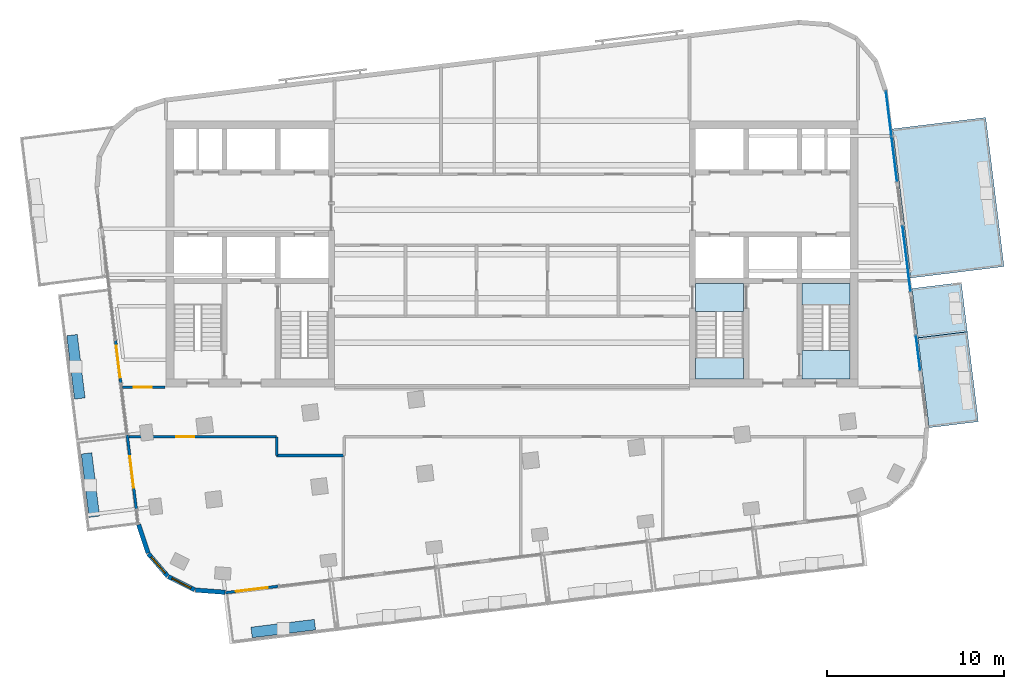
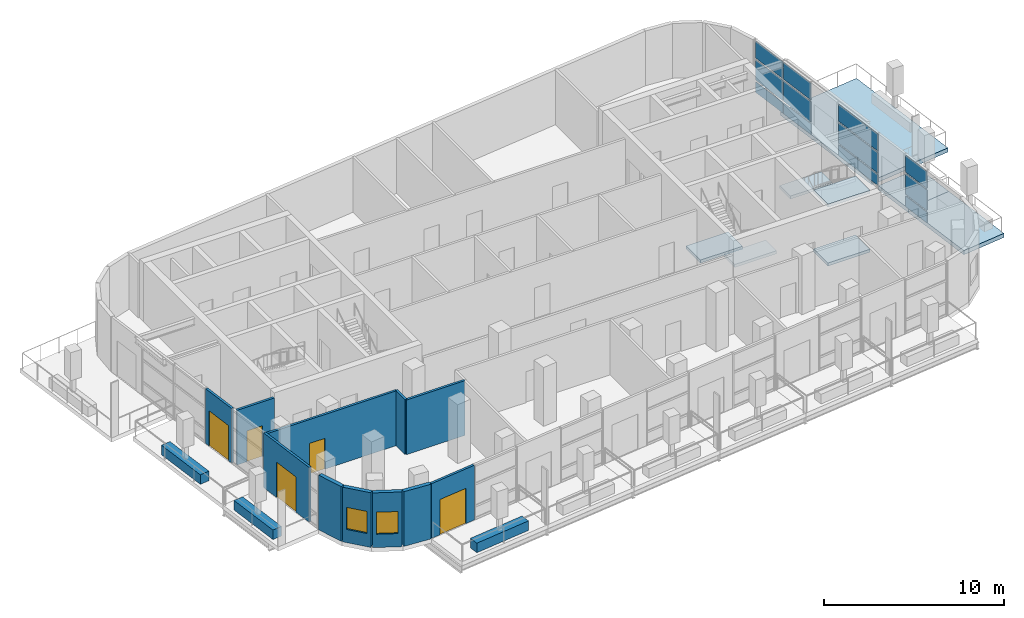
# One storey, part 6 of 14: 14 walls, 12 plates, 8 slabs, 5 doors, 2 windows, 7 openings, 5 elements without a shape of their own.
"""IFC4 building model written with IfcOpenShell, lengths in metres."""

from ifc_helpers import new_model, si_unit, direction, frame, frame_2d, origin, origin_2d, place, context, subcontext, project, spatial, polyline, rectangle, outline, extrude, material, layer, layer_set, type_object, element, fill, aggregate, save


model = new_model("IFC4")

# Units and contexts
model_context = context("Model", 3, precision=1e-05, world=origin(), true_north=direction((0.0, 1.0)))
body_context = subcontext(model_context, "Body", "Model", "MODEL_VIEW")
ifc_project = project(units=[si_unit("LENGTHUNIT", "METRE"), si_unit("AREAUNIT", "SQUARE_METRE"), si_unit("VOLUMEUNIT", "CUBIC_METRE"), si_unit("PLANEANGLEUNIT", "RADIAN"), si_unit("MASSUNIT", "GRAM", prefix="KILO")], contexts=[model_context])

# Site, building, storey
site_placement = place(None, origin())
site = spatial("IfcSite", under=ifc_project, at=site_placement, CompositionType="ELEMENT")
building_placement = place(site_placement, origin())
building = spatial("IfcBuilding", under=site, at=building_placement, Name="Torana Hotel and Residences", CompositionType="ELEMENT")
storey_placement = place(building_placement, frame((0.0, 0.0, 338.60009765625)))
storey = spatial("IfcBuildingStorey", under=building, at=storey_placement, Name="L89", CompositionType="ELEMENT", Elevation=338.60009765625)

# Slabs
ifc_material_1 = material(Name="Concrete C40/50", Category="concrete")
ifc_layer_1 = layer(ifc_material_1, 0.280029296875)
ifc_layer_set_1 = layer_set([ifc_layer_1], Name="BAL1 BALCONY SLAB 280")
slab_type_1 = type_object("IfcSlabType", Name="BAL1 BALCONY SLAB 280", PredefinedType="USERDEFINED", material=ifc_layer_set_1)
slab_1_placement = place(storey_placement, frame((0.0, 0.0, -0.280029296875)))
element("IfcSlab", 1, at=slab_1_placement, inside=storey, type_object=slab_type_1, Name="Balcony 10", ObjectType="BALCONY", PredefinedType="USERDEFINED", context=body_context, shape_type="SweptSolid", body=[
    extrude(outline(polyline([(23.502197265625, -17.286376953125), (26.281494140625, -16.945068359375), (25.659912109375, -11.88330078125), (22.880615234375, -12.224365234375), (23.502197265625, -17.286376953125)])), origin(), (0.0, 0.0, 1.0), 0.280029296875),
])
slab_2_placement = place(storey_placement, frame((0.0, 0.0, -0.280029296875)))
element("IfcSlab", 2, at=slab_2_placement, inside=storey, type_object=slab_type_1, Name="Balcony 11", ObjectType="BALCONY", PredefinedType="USERDEFINED", context=body_context, shape_type="SweptSolid", body=[
    extrude(outline(polyline([(22.880615234375, -12.224365234375), (25.659912109375, -11.88330078125), (25.318603515625, -9.104248046875), (22.53955078125, -9.445556640625), (22.880615234375, -12.224365234375)])), origin(), (0.0, 0.0, 1.0), 0.280029296875),
])
slab_3_placement = place(storey_placement, frame((0.0, 0.0, -0.280029296875)))
element("IfcSlab", 3, at=slab_3_placement, inside=storey, type_object=slab_type_1, Name="Balcony 12", ObjectType="BALCONY", PredefinedType="USERDEFINED", context=body_context, shape_type="SweptSolid", body=[
    extrude(outline(polyline([(22.46630859375, -8.85009765625), (27.726806640625, -8.2041015625), (26.695556640625, 0.19580078125), (21.43505859375, -0.449951171875), (22.46630859375, -8.85009765625)])), origin(), (0.0, 0.0, 1.0), 0.280029296875),
])

# Curtain wall, plates
ifc_material_2 = material(Name="Dark anodised aluminium", Category="aluminium")
ifc_layer_2 = layer(ifc_material_2, 0.199951171875)
ifc_layer_set_2 = layer_set([ifc_layer_2], Name="CW3 SKY CLUB UNITISED CURTAIN WALL")
curtain_wall_type = type_object("IfcCurtainWallType", Name="CW3 SKY CLUB UNITISED CURTAIN WALL", PredefinedType="NOTDEFINED", material=ifc_layer_set_2)
curtain_wall_1_placement = place(storey_placement, origin())
curtain_wall_1 = element("IfcCurtainWall", 4, at=curtain_wall_1_placement, inside=storey, type_object=curtain_wall_type, Name="Curtain wall CW3 L89 e0.19-2", PredefinedType="NOTDEFINED")
ifc_material_3 = material(Name="Glass dark tinted double glazed unit", Category="glass")
ifc_layer_3 = layer(ifc_material_3, 0.031982421875)
ifc_layer_set_3 = layer_set([ifc_layer_3], Name="CW3 DARK GLASS PANEL 32")
plate_type = type_object("IfcPlateType", Name="CW3 DARK GLASS PANEL 32", PredefinedType="CURTAIN_PANEL", material=ifc_layer_set_3)
plate_1_placement = place(storey_placement, frame((22.885009765625, -13.080322265625, 0.1201171875), z_axis=(0.0, 0.0, 1.0), x_axis=(-0.121912701141, 0.992540827019, 0.0)))
plate_1 = element("IfcPlate", 5, at=plate_1_placement, type_object=plate_type, Name="CW3 panel 1.1", PredefinedType="CURTAIN_PANEL", context=body_context, shape_type="SweptSolid", body=[
    extrude(rectangle(XDim=1.9599609375, YDim=0.031982421875, at=origin_2d()), origin(), (0.0, 0.0, 1.0), 0.719970703125),
])
plate_2_placement = place(storey_placement, frame((22.885009765625, -13.080322265625, 0.9599609375), z_axis=(0.0, 0.0, 1.0), x_axis=(-0.121912701141, 0.992540827019, 0.0)))
plate_2 = element("IfcPlate", 6, at=plate_2_placement, type_object=plate_type, Name="CW3 panel 1.2", PredefinedType="CURTAIN_PANEL", context=body_context, shape_type="SweptSolid", body=[
    extrude(rectangle(XDim=1.9599609375, YDim=0.031982421875, at=origin_2d()), origin(), (0.0, 0.0, 1.0), 1.3798828125),
])
plate_3_placement = place(storey_placement, frame((22.885009765625, -13.080322265625, 2.4599609375), z_axis=(0.0, 0.0, 1.0), x_axis=(-0.121912701141, 0.992540827019, 0.0)))
plate_3 = element("IfcPlate", 7, at=plate_3_placement, type_object=plate_type, Name="CW3 panel 1.3", PredefinedType="CURTAIN_PANEL", context=body_context, shape_type="SweptSolid", body=[
    extrude(rectangle(XDim=1.9599609375, YDim=0.031982421875, at=origin_2d()), origin(), (0.0, 0.0, 1.0), 1.139892578125),
])
aggregate(curtain_wall_1, [plate_1, plate_2, plate_3])

curtain_wall_2_placement = place(storey_placement, origin())
curtain_wall_2 = element("IfcCurtainWall", 8, at=curtain_wall_2_placement, inside=storey, type_object=curtain_wall_type, Name="Curtain wall CW3 L89 e0.19-4", PredefinedType="NOTDEFINED")
plate_4_placement = place(storey_placement, frame((22.231201171875, -7.754638671875, 0.1201171875), z_axis=(0.0, 0.0, 1.0), x_axis=(-0.121885437403, 0.992544175414, 0.0)))
plate_4 = element("IfcPlate", 9, at=plate_4_placement, type_object=plate_type, Name="CW3 panel 1.1", PredefinedType="CURTAIN_PANEL", context=body_context, shape_type="SweptSolid", body=[
    extrude(rectangle(XDim=3.69140625, YDim=0.031982421875, at=origin_2d()), origin(), (0.0, 0.0, 1.0), 0.719970703125),
])
plate_5_placement = place(storey_placement, frame((22.231201171875, -7.754638671875, 0.9599609375), z_axis=(0.0, 0.0, 1.0), x_axis=(-0.121885437403, 0.992544175414, 0.0)))
plate_5 = element("IfcPlate", 10, at=plate_5_placement, type_object=plate_type, Name="CW3 panel 1.2", PredefinedType="CURTAIN_PANEL", context=body_context, shape_type="SweptSolid", body=[
    extrude(rectangle(XDim=3.69140625, YDim=0.031982421875, at=origin_2d()), origin(), (0.0, 0.0, 1.0), 1.3798828125),
])
plate_6_placement = place(storey_placement, frame((22.231201171875, -7.754638671875, 2.4599609375), z_axis=(0.0, 0.0, 1.0), x_axis=(-0.121885437403, 0.992544175414, 0.0)))
plate_6 = element("IfcPlate", 11, at=plate_6_placement, type_object=plate_type, Name="CW3 panel 1.3", PredefinedType="CURTAIN_PANEL", context=body_context, shape_type="SweptSolid", body=[
    extrude(rectangle(XDim=3.69140625, YDim=0.031982421875, at=origin_2d()), origin(), (0.0, 0.0, 1.0), 1.139892578125),
])
aggregate(curtain_wall_2, [plate_4, plate_5, plate_6])

curtain_wall_3_placement = place(storey_placement, origin())
curtain_wall_3 = element("IfcCurtainWall", 12, at=curtain_wall_3_placement, inside=storey, type_object=curtain_wall_type, Name="Curtain wall CW3 L89 e0.19-6", PredefinedType="NOTDEFINED")
plate_7_placement = place(storey_placement, frame((21.543212890625, -2.152587890625, 0.1201171875), z_axis=(0.0, 0.0, 1.0), x_axis=(-0.121870538273, 0.992546004929, 0.0)))
plate_7 = element("IfcPlate", 13, at=plate_7_placement, type_object=plate_type, Name="CW3 panel 1.1", PredefinedType="CURTAIN_PANEL", context=body_context, shape_type="SweptSolid", body=[
    extrude(rectangle(XDim=2.51708984375, YDim=0.031982421875, at=origin_2d()), origin(), (0.0, 0.0, 1.0), 0.719970703125),
])
plate_8_placement = place(storey_placement, frame((21.543212890625, -2.152587890625, 0.9599609375), z_axis=(0.0, 0.0, 1.0), x_axis=(-0.121870538273, 0.992546004929, 0.0)))
plate_8 = element("IfcPlate", 14, at=plate_8_placement, type_object=plate_type, Name="CW3 panel 1.2", PredefinedType="CURTAIN_PANEL", context=body_context, shape_type="SweptSolid", body=[
    extrude(rectangle(XDim=2.51708984375, YDim=0.031982421875, at=origin_2d()), origin(), (0.0, 0.0, 1.0), 1.3798828125),
])
plate_9_placement = place(storey_placement, frame((21.543212890625, -2.152587890625, 2.4599609375), z_axis=(0.0, 0.0, 1.0), x_axis=(-0.121870538273, 0.992546004929, 0.0)))
plate_9 = element("IfcPlate", 15, at=plate_9_placement, type_object=plate_type, Name="CW3 panel 1.3", PredefinedType="CURTAIN_PANEL", context=body_context, shape_type="SweptSolid", body=[
    extrude(rectangle(XDim=2.51708984375, YDim=0.031982421875, at=origin_2d()), origin(), (0.0, 0.0, 1.0), 1.139892578125),
])
plate_10_placement = place(storey_placement, frame((21.22802734375, 0.415283203125, 0.1201171875), z_axis=(0.0, 0.0, 1.0), x_axis=(-0.121870538273, 0.992546004929, 0.0)))
plate_10 = element("IfcPlate", 16, at=plate_10_placement, type_object=plate_type, Name="CW3 panel 2.1", PredefinedType="CURTAIN_PANEL", context=body_context, shape_type="SweptSolid", body=[
    extrude(rectangle(XDim=2.51708984375, YDim=0.031982421875, at=origin_2d()), origin(), (0.0, 0.0, 1.0), 0.719970703125),
])
plate_11_placement = place(storey_placement, frame((21.22802734375, 0.415283203125, 0.9599609375), z_axis=(0.0, 0.0, 1.0), x_axis=(-0.121870538273, 0.992546004929, 0.0)))
plate_11 = element("IfcPlate", 17, at=plate_11_placement, type_object=plate_type, Name="CW3 panel 2.2", PredefinedType="CURTAIN_PANEL", context=body_context, shape_type="SweptSolid", body=[
    extrude(rectangle(XDim=2.51708984375, YDim=0.031982421875, at=origin_2d()), origin(), (0.0, 0.0, 1.0), 1.3798828125),
])
plate_12_placement = place(storey_placement, frame((21.22802734375, 0.415283203125, 2.4599609375), z_axis=(0.0, 0.0, 1.0), x_axis=(-0.121870538273, 0.992546004929, 0.0)))
plate_12 = element("IfcPlate", 18, at=plate_12_placement, type_object=plate_type, Name="CW3 panel 2.3", PredefinedType="CURTAIN_PANEL", context=body_context, shape_type="SweptSolid", body=[
    extrude(rectangle(XDim=2.51708984375, YDim=0.031982421875, at=origin_2d()), origin(), (0.0, 0.0, 1.0), 1.139892578125),
])
aggregate(curtain_wall_3, [plate_7, plate_8, plate_9, plate_10, plate_11, plate_12])

# Stair, slabs
ifc_material_4 = material(Name="Concrete C40/50 precast", Category="concrete")
stair_type_1 = type_object("IfcStairType", Name="STAIR ST3 HALF TURN 1200", PredefinedType="HALF_TURN_STAIR", material=ifc_material_4)
stair_1_placement = place(storey_placement, origin())
stair_1 = element("IfcStair", 19, at=stair_1_placement, inside=storey, type_object=stair_type_1, Name="Stair ST3 L89", PredefinedType="HALF_TURN_STAIR")
ifc_material_5 = material(Name="Concrete C40/50 precast", Category="concrete")
ifc_layer_4 = layer(ifc_material_5, 0.199951171875)
ifc_layer_set_4 = layer_set([ifc_layer_4], Name="STAIR LANDING 200")
slab_type_2 = type_object("IfcSlabType", Name="STAIR LANDING 200", PredefinedType="LANDING", material=ifc_layer_set_4)
slab_4_placement = place(storey_placement, frame((0.0, 0.0, 1.7998046875)))
slab_4 = element("IfcSlab", 20, at=slab_4_placement, type_object=slab_type_2, Name="ST3 landing 1", PredefinedType="LANDING", context=body_context, shape_type="SweptSolid", body=[
    extrude(outline(polyline([(10.35009765625, -14.550048828125), (13.050048828125, -14.550048828125), (13.050048828125, -13.35009765625), (10.35009765625, -13.35009765625), (10.35009765625, -14.550048828125)])), origin(), (0.0, 0.0, 1.0), 0.2001953125),
])
slab_5_placement = place(storey_placement, frame((0.0, 0.0, -0.2001953125)))
slab_5 = element("IfcSlab", 21, at=slab_5_placement, type_object=slab_type_2, Name="ST3 landing 2", PredefinedType="LANDING", context=body_context, shape_type="SweptSolid", body=[
    extrude(outline(polyline([(10.35009765625, -10.75), (13.050048828125, -10.75), (13.050048828125, -9.14990234375), (10.35009765625, -9.14990234375), (10.35009765625, -10.75)])), origin(), (0.0, 0.0, 1.0), 0.2001953125),
])
aggregate(stair_1, [slab_4, slab_5])

ifc_material_6 = material(Name="Concrete C40/50 precast", Category="concrete")
stair_type_2 = type_object("IfcStairType", Name="STAIR ST4 HALF TURN 1200", PredefinedType="HALF_TURN_STAIR", material=ifc_material_6)
stair_2_placement = place(storey_placement, origin())
stair_2 = element("IfcStair", 22, at=stair_2_placement, inside=storey, type_object=stair_type_2, Name="Stair ST4 L89", PredefinedType="HALF_TURN_STAIR")
slab_6_placement = place(storey_placement, frame((0.0, 0.0, 1.7998046875)))
slab_6 = element("IfcSlab", 23, at=slab_6_placement, type_object=slab_type_2, Name="ST4 landing 1", PredefinedType="LANDING", context=body_context, shape_type="SweptSolid", body=[
    extrude(outline(polyline([(16.35009765625, -10.35009765625), (19.050048828125, -10.35009765625), (19.050048828125, -9.14990234375), (16.35009765625, -9.14990234375), (16.35009765625, -10.35009765625)])), origin(), (0.0, 0.0, 1.0), 0.2001953125),
])
slab_7_placement = place(storey_placement, frame((0.0, 0.0, -0.2001953125)))
slab_7 = element("IfcSlab", 24, at=slab_7_placement, type_object=slab_type_2, Name="ST4 landing 2", PredefinedType="LANDING", context=body_context, shape_type="SweptSolid", body=[
    extrude(outline(polyline([(16.35009765625, -14.550048828125), (19.050048828125, -14.550048828125), (19.050048828125, -12.949951171875), (16.35009765625, -12.949951171875), (16.35009765625, -14.550048828125)])), origin(), (0.0, 0.0, 1.0), 0.2001953125),
])
slab_8_placement = place(storey_placement, frame((0.0, 0.0, 3.7998046875)))
slab_8 = element("IfcSlab", 25, at=slab_8_placement, type_object=slab_type_2, Name="ST4 landing 3", PredefinedType="LANDING", context=body_context, shape_type="SweptSolid", body=[
    extrude(outline(polyline([(16.35009765625, -14.550048828125), (19.050048828125, -14.550048828125), (19.050048828125, -12.949951171875), (16.35009765625, -12.949951171875), (16.35009765625, -14.550048828125)])), origin(), (0.0, 0.0, 1.0), 0.2001953125),
])
aggregate(stair_2, [slab_6, slab_7, slab_8])

# Wall
ifc_material_7 = material(Name="Black aluminium composite panel", Category="aluminium")
ifc_layer_5 = layer(ifc_material_7, 0.00390625, Name="Cladding", Category="cladding")
ifc_material_8 = material(Name="Ventilated air cavity")
ifc_layer_6 = layer(ifc_material_8, 0.0400390625, Name="Ventilated cavity", Category="cavity")
ifc_material_9 = material(Name="Mineral wool insulation")
ifc_layer_7 = layer(ifc_material_9, 0.090087890625, Name="Insulation", Category="insulation")
ifc_material_10 = material(Name="Steel S280GD", Category="steel")
ifc_layer_8 = layer(ifc_material_10, 0.092041015625, Name="Steel stud frame", Category="structure")
ifc_material_11 = material(Name="Fire rated plasterboard")
ifc_layer_9 = layer(ifc_material_11, 0.011962890625, Name="Inner board", Category="finish")
ifc_layer_10 = layer(ifc_material_11, 0.011962890625, Name="Second board", Category="finish")
ifc_layer_set_5 = layer_set([ifc_layer_5, ifc_layer_6, ifc_layer_7, ifc_layer_8, ifc_layer_9, ifc_layer_10], Name="EW1 EXTERNAL WALL BLACK METAL CLAD 250")
wall_type_1 = type_object("IfcWallType", Name="EW1 EXTERNAL WALL BLACK METAL CLAD 250", PredefinedType="SOLIDWALL", material=ifc_layer_set_5)
wall_1_placement = place(storey_placement, frame((-21.035888671875, -22.754638671875, 0.0), z_axis=(0.0, 0.0, 1.0), x_axis=(0.313046160822, -0.949737911844, 0.0)))
element("IfcWall", 26, at=wall_1_placement, inside=storey, type_object=wall_type_1, Name="External wall L89 e0.10", PredefinedType="SOLIDWALL", context=body_context, shape_type="SweptSolid", body=[
    extrude(rectangle(XDim=1.681396484375, YDim=0.25, at=frame_2d((0.8408203125, 0.0))), origin(), (0.0, 0.0, 1.0), 3.719970703125),
])

# Wall, opening, window
wall_2_placement = place(storey_placement, frame((-20.4853515625, -24.39404296875, 0.0), z_axis=(0.0, 0.0, 1.0), x_axis=(0.652755886531, -0.757568315466, 0.0)))
wall_2 = element("IfcWall", 27, at=wall_2_placement, inside=storey, type_object=wall_type_1, Name="External wall L89 e0.11", PredefinedType="SOLIDWALL", context=body_context, shape_type="SweptSolid", body=[
    extrude(rectangle(XDim=1.65625, YDim=0.25, at=frame_2d((0.828125, 0.0))), origin(), (0.0, 0.0, 1.0), 3.719970703125),
])
opening_1_placement = place(wall_2_placement, frame((0.228271484375, 0.0, 0.89990234375)))
opening_1 = element("IfcOpeningElement", 28, at=opening_1_placement, cuts=wall_2, Name="Opening W5", PredefinedType="OPENING", context=body_context, shape_type="SweptSolid", body=[
    extrude(rectangle(XDim=1.199951171875, YDim=1.5, at=frame_2d((0.60009765625, 0.75))), frame((0.0, 0.135009765625, 0.0), z_axis=(0.0, -1.0, 0.0), x_axis=(1.0, 0.0, 0.0)), (0.0, 0.0, 1.0), 0.27001953125),
])
ifc_material_12 = material(Name="Dark glass in black aluminium frame", Category="aluminium")
window_type = type_object("IfcWindowType", Name="W5 CORNER FACET WINDOW 1200x1500", PartitioningType="SINGLE_PANEL", PredefinedType="WINDOW", material=ifc_material_12)
window_1_placement = place(opening_1_placement, origin())
window_1 = element("IfcWindow", 29, at=window_1_placement, inside=storey, type_object=window_type, Name="Window L89 e0.11", OverallHeight=1.5, OverallWidth=1.199951171875, PartitioningType="SINGLE_PANEL", PredefinedType="WINDOW", context=body_context, shape_type="SweptSolid", body=[
    extrude(rectangle(XDim=1.199951171875, YDim=1.5, at=frame_2d((0.60009765625, 0.75))), frame((0.0, 0.030029296875, 0.0), z_axis=(0.0, -1.0, 0.0), x_axis=(1.0, 0.0, 0.0)), (0.0, 0.0, 1.0), 0.06005859375),
])
fill(opening_1, window_1)

wall_3_placement = place(storey_placement, frame((-19.36572265625, -25.678955078125, 0.0), z_axis=(0.0, 0.0, 1.0), x_axis=(0.893007580524, -0.450041621549, 0.0)))
wall_3 = element("IfcWall", 30, at=wall_3_placement, inside=storey, type_object=wall_type_1, Name="External wall L89 e0.12", PredefinedType="SOLIDWALL", context=body_context, shape_type="SweptSolid", body=[
    extrude(rectangle(XDim=1.65625, YDim=0.25, at=frame_2d((0.828125, 0.0))), origin(), (0.0, 0.0, 1.0), 3.719970703125),
])
opening_2_placement = place(wall_3_placement, frame((0.228271484375, 0.0, 0.89990234375)))
opening_2 = element("IfcOpeningElement", 31, at=opening_2_placement, cuts=wall_3, Name="Opening W5", PredefinedType="OPENING", context=body_context, shape_type="SweptSolid", body=[
    extrude(rectangle(XDim=1.199951171875, YDim=1.5, at=frame_2d((0.60009765625, 0.75))), frame((0.0, 0.135009765625, 0.0), z_axis=(0.0, -1.0, 0.0), x_axis=(1.0, 0.0, 0.0)), (0.0, 0.0, 1.0), 0.27001953125),
])
window_2_placement = place(opening_2_placement, origin())
window_2 = element("IfcWindow", 32, at=window_2_placement, inside=storey, type_object=window_type, Name="Window L89 e0.12", OverallHeight=1.5, OverallWidth=1.199951171875, PartitioningType="SINGLE_PANEL", PredefinedType="WINDOW", context=body_context, shape_type="SweptSolid", body=[
    extrude(rectangle(XDim=1.199951171875, YDim=1.5, at=frame_2d((0.60009765625, 0.75))), frame((0.0, 0.030029296875, 0.0), z_axis=(0.0, -1.0, 0.0), x_axis=(1.0, 0.0, 0.0)), (0.0, 0.0, 1.0), 0.06005859375),
])
fill(opening_2, window_2)

# Walls
wall_4_placement = place(storey_placement, frame((-17.839599609375, -26.4375, 0.0), z_axis=(0.0, 0.0, 1.0), x_axis=(0.997254267475, -0.074053534713, 0.0)))
element("IfcWall", 33, at=wall_4_placement, inside=storey, type_object=wall_type_1, Name="External wall L89 e0.13", PredefinedType="SOLIDWALL", context=body_context, shape_type="SweptSolid", body=[
    extrude(rectangle(XDim=1.681396484375, YDim=0.25, at=frame_2d((0.8408203125, 0.0))), origin(), (0.0, 0.0, 1.0), 3.719970703125),
])
ifc_material_13 = material(Name="Gypsum plaster")
ifc_layer_11 = layer(ifc_material_13, 0.014892578125, Name="Plaster", Category="finish")
ifc_material_14 = material(Name="Concrete blockwork", Category="masonry")
ifc_layer_12 = layer(ifc_material_14, 0.1201171875, Name="Blockwork", Category="structure")
ifc_layer_13 = layer(ifc_material_13, 0.014892578125, Name="Plaster", Category="finish")
ifc_layer_set_6 = layer_set([ifc_layer_11, ifc_layer_12, ifc_layer_13], Name="FIRE PARTITION 150 BLOCKWORK")
wall_type_2 = type_object("IfcWallType", Name="FIRE PARTITION 150 BLOCKWORK", PredefinedType="PARTITIONING", material=ifc_layer_set_6)
wall_5_placement = place(storey_placement, frame((-13.262939453125, -18.85009765625, 0.0), z_axis=(0.0, 0.0, 1.0), x_axis=(0.0, 1.0, 0.0)))
element("IfcWall", 34, at=wall_5_placement, inside=storey, type_object=wall_type_2, Name="Partition L89", PredefinedType="PARTITIONING", context=body_context, shape_type="SweptSolid", body=[
    extrude(rectangle(XDim=1.050048828125, YDim=0.14990234375, at=frame_2d((0.52490234375, 0.0))), origin(), (0.0, 0.0, 1.0), 3.719970703125),
])
wall_6_placement = place(storey_placement, frame((-13.262939453125, -18.85009765625, 0.0), z_axis=(0.0, 0.0, 1.0), x_axis=(1.0, 0.0, 0.0)))
element("IfcWall", 35, at=wall_6_placement, inside=storey, type_object=wall_type_2, Name="Partition L89", PredefinedType="PARTITIONING", context=body_context, shape_type="SweptSolid", body=[
    extrude(rectangle(XDim=3.760986328125, YDim=0.14990234375, at=frame_2d((1.88037109375, 0.0))), origin(), (0.0, 0.0, 1.0), 3.719970703125),
])

# Wall, opening, door
wall_7_placement = place(storey_placement, frame((-21.59130859375, -17.800048828125, 0.0), z_axis=(0.0, 0.0, 1.0), x_axis=(1.0, 0.0, 0.0)))
wall_7 = element("IfcWall", 36, at=wall_7_placement, inside=storey, type_object=wall_type_2, Name="Partition L89", PredefinedType="PARTITIONING", context=body_context, shape_type="SweptSolid", body=[
    extrude(rectangle(XDim=8.328369140625, YDim=0.14990234375, at=frame_2d((4.1640625, 0.0))), origin(), (0.0, 0.0, 1.0), 3.719970703125),
])
opening_3_placement = place(wall_7_placement, frame((2.6728515625, 0.0, 0.0)))
opening_3 = element("IfcOpeningElement", 37, at=opening_3_placement, cuts=wall_7, Name="Opening L89-20", PredefinedType="OPENING", context=body_context, shape_type="SweptSolid", body=[
    extrude(rectangle(XDim=1.0, YDim=2.10009765625, at=frame_2d((0.5, 1.050048828125))), frame((0.0, 0.0849609375, 0.0), z_axis=(0.0, -1.0, 0.0), x_axis=(1.0, 0.0, 0.0)), (0.0, 0.0, 1.0), 0.169921875),
])
ifc_material_15 = material(Name="Steel S235", Category="steel")
door_type_1 = type_object("IfcDoorType", Name="ENTRY FIRE DOOR D6 1000x2100", OperationType="SINGLE_SWING_LEFT", PredefinedType="DOOR", material=ifc_material_15)
door_1_placement = place(opening_3_placement, frame((0.5, 0.0, 0.0), z_axis=(0.0, 0.0, 1.0), x_axis=(-1.0, 0.0, 0.0)))
door_1 = element("IfcDoor", 38, at=door_1_placement, inside=storey, type_object=door_type_1, Name="Door L89", OperationType="SINGLE_SWING_LEFT", OverallHeight=2.10009765625, OverallWidth=1.0, PredefinedType="DOOR", context=body_context, shape_type="SweptSolid", body=[
    extrude(rectangle(XDim=1.0, YDim=2.10009765625, at=frame_2d((0.0, 1.050048828125))), frame((0.0, -0.02490234375, 0.0), z_axis=(0.0, 1.0, 0.0), x_axis=(-1.0, 0.0, 0.0)), (0.0, 0.0, 1.0), 0.050048828125),
])
fill(opening_3, door_1)

wall_8_placement = place(storey_placement, frame((-21.93505859375, -15.0, 0.0), z_axis=(0.0, 0.0, 1.0), x_axis=(1.0, 0.0, 0.0)))
wall_8 = element("IfcWall", 39, at=wall_8_placement, inside=storey, type_object=wall_type_2, Name="Partition L89", PredefinedType="PARTITIONING", context=body_context, shape_type="SweptSolid", body=[
    extrude(rectangle(XDim=2.385009765625, YDim=0.14990234375, at=frame_2d((1.1923828125, 0.0))), origin(), (0.0, 0.0, 1.0), 3.719970703125),
])
opening_4_placement = place(wall_8_placement, frame((0.626953125, 0.0, 0.0)))
opening_4 = element("IfcOpeningElement", 40, at=opening_4_placement, cuts=wall_8, Name="Opening L89-25", PredefinedType="OPENING", context=body_context, shape_type="SweptSolid", body=[
    extrude(rectangle(XDim=1.0, YDim=2.10009765625, at=frame_2d((0.5, 1.050048828125))), frame((0.0, 0.0849609375, 0.0), z_axis=(0.0, -1.0, 0.0), x_axis=(1.0, 0.0, 0.0)), (0.0, 0.0, 1.0), 0.169921875),
])
ifc_material_16 = material(Name="Steel S235", Category="steel")
door_type_2 = type_object("IfcDoorType", Name="CORE ROOM FIRE DOOR D14 1000x2100", OperationType="SINGLE_SWING_LEFT", PredefinedType="DOOR", material=ifc_material_16)
door_2_placement = place(opening_4_placement, origin())
door_2 = element("IfcDoor", 41, at=door_2_placement, inside=storey, type_object=door_type_2, Name="Door L89", OperationType="SINGLE_SWING_RIGHT", OverallHeight=2.10009765625, OverallWidth=1.0, PredefinedType="DOOR", context=body_context, shape_type="SweptSolid", body=[
    extrude(rectangle(XDim=1.0, YDim=2.10009765625, at=frame_2d((0.5, 1.050048828125))), frame((0.0, 0.02490234375, 0.0), z_axis=(0.0, -1.0, 0.0), x_axis=(1.0, 0.0, 0.0)), (0.0, 0.0, 1.0), 0.050048828125),
])
fill(opening_4, door_2)

ifc_material_17 = material(Name="Dark glass screen in aluminium frame", Category="aluminium")
ifc_layer_14 = layer(ifc_material_17, 0.14990234375)
ifc_layer_set_7 = layer_set([ifc_layer_14], Name="GS1 GLAZED DOOR SCREEN 150")
wall_type_3 = type_object("IfcWallType", Name="GS1 GLAZED DOOR SCREEN 150", PredefinedType="USERDEFINED", material=ifc_layer_set_7)
wall_9_placement = place(storey_placement, frame((-22.338134765625, -12.373779296875, 0.0), z_axis=(0.0, 0.0, 1.0), x_axis=(0.121868445399, -0.992546261902, 0.0)))
wall_9 = element("IfcWall", 42, at=wall_9_placement, inside=storey, type_object=wall_type_3, Name="Glazed door screen L89", ObjectType="GLAZED SCREEN", PredefinedType="USERDEFINED", context=body_context, shape_type="SweptSolid", body=[
    extrude(rectangle(XDim=2.39990234375, YDim=0.14990234375, at=frame_2d((1.199951171875, 0.0))), origin(), (0.0, 0.0, 1.0), 3.719970703125),
])
opening_5_placement = place(wall_9_placement, frame((0.300048828125, 0.0, 0.0)))
opening_5 = element("IfcOpeningElement", 43, at=opening_5_placement, cuts=wall_9, Name="Opening L89-E02", PredefinedType="OPENING", context=body_context, shape_type="SweptSolid", body=[
    extrude(rectangle(XDim=1.800048828125, YDim=2.39990234375, at=frame_2d((0.89990234375, 1.199951171875))), frame((0.0, 0.0849609375, 0.0), z_axis=(0.0, -1.0, 0.0), x_axis=(1.0, 0.0, 0.0)), (0.0, 0.0, 1.0), 0.169921875),
])
ifc_material_18 = material(Name="Dark glass in black aluminium frame", Category="aluminium")
door_type_3 = type_object("IfcDoorType", Name="DB1 BALCONY DOOR 1800x2400", OperationType="DOUBLE_DOOR_SINGLE_SWING", PredefinedType="DOOR", material=ifc_material_18)
door_3_placement = place(opening_5_placement, origin())
door_3 = element("IfcDoor", 44, at=door_3_placement, inside=storey, type_object=door_type_3, Name="Balcony door L89", OperationType="DOUBLE_DOOR_SINGLE_SWING", OverallHeight=2.39990234375, OverallWidth=1.800048828125, PredefinedType="DOOR", context=body_context, shape_type="SweptSolid", body=[
    extrude(rectangle(XDim=1.800048828125, YDim=2.39990234375, at=frame_2d((0.89990234375, 1.199951171875))), frame((0.0, 0.02490234375, 0.0), z_axis=(0.0, -1.0, 0.0), x_axis=(1.0, 0.0, 0.0)), (0.0, 0.0, 1.0), 0.050048828125),
])
fill(opening_5, door_3)

wall_10_placement = place(storey_placement, frame((-21.6845703125, -17.6962890625, 0.0), z_axis=(0.0, 0.0, 1.0), x_axis=(0.121895320106, -0.992542961758, 0.0)))
wall_10 = element("IfcWall", 45, at=wall_10_placement, inside=storey, type_object=wall_type_3, Name="Glazed door screen L89", ObjectType="GLAZED SCREEN", PredefinedType="USERDEFINED", context=body_context, shape_type="SweptSolid", body=[
    extrude(rectangle(XDim=4.199951171875, YDim=0.14990234375, at=frame_2d((2.10009765625, 0.0))), origin(), (0.0, 0.0, 1.0), 3.719970703125),
])
opening_6_placement = place(wall_10_placement, frame((1.199951171875, 0.0, 0.0)))
opening_6 = element("IfcOpeningElement", 46, at=opening_6_placement, cuts=wall_10, Name="Opening L89-E03", PredefinedType="OPENING", context=body_context, shape_type="SweptSolid", body=[
    extrude(rectangle(XDim=1.800048828125, YDim=2.39990234375, at=frame_2d((0.89990234375, 1.199951171875))), frame((0.0, 0.0849609375, 0.0), z_axis=(0.0, -1.0, 0.0), x_axis=(1.0, 0.0, 0.0)), (0.0, 0.0, 1.0), 0.169921875),
])
door_4_placement = place(opening_6_placement, origin())
door_4 = element("IfcDoor", 47, at=door_4_placement, inside=storey, type_object=door_type_3, Name="Balcony door L89", OperationType="DOUBLE_DOOR_SINGLE_SWING", OverallHeight=2.39990234375, OverallWidth=1.800048828125, PredefinedType="DOOR", context=body_context, shape_type="SweptSolid", body=[
    extrude(rectangle(XDim=1.800048828125, YDim=2.39990234375, at=frame_2d((0.89990234375, 1.199951171875))), frame((0.0, 0.02490234375, 0.0), z_axis=(0.0, -1.0, 0.0), x_axis=(1.0, 0.0, 0.0)), (0.0, 0.0, 1.0), 0.050048828125),
])
fill(opening_6, door_4)

wall_11_placement = place(storey_placement, frame((-16.13525390625, -26.586181640625, 0.0), z_axis=(0.0, 0.0, 1.0), x_axis=(0.992549375183, 0.121843086893, 0.0)))
wall_11 = element("IfcWall", 48, at=wall_11_placement, inside=storey, type_object=wall_type_3, Name="Glazed door screen L89", ObjectType="GLAZED SCREEN", PredefinedType="USERDEFINED", context=body_context, shape_type="SweptSolid", body=[
    extrude(rectangle(XDim=2.9755859375, YDim=0.14990234375, at=frame_2d((1.48779296875, 0.0))), origin(), (0.0, 0.0, 1.0), 3.719970703125),
])
opening_7_placement = place(wall_11_placement, frame((0.587646484375, 0.0, 0.0)))
opening_7 = element("IfcOpeningElement", 49, at=opening_7_placement, cuts=wall_11, Name="Opening L89-E04", PredefinedType="OPENING", context=body_context, shape_type="SweptSolid", body=[
    extrude(rectangle(XDim=1.800048828125, YDim=2.39990234375, at=frame_2d((0.89990234375, 1.199951171875))), frame((0.0, 0.0849609375, 0.0), z_axis=(0.0, -1.0, 0.0), x_axis=(1.0, 0.0, 0.0)), (0.0, 0.0, 1.0), 0.169921875),
])
door_5_placement = place(opening_7_placement, origin())
door_5 = element("IfcDoor", 50, at=door_5_placement, inside=storey, type_object=door_type_3, Name="Balcony door L89", OperationType="DOUBLE_DOOR_SINGLE_SWING", OverallHeight=2.39990234375, OverallWidth=1.800048828125, PredefinedType="DOOR", context=body_context, shape_type="SweptSolid", body=[
    extrude(rectangle(XDim=1.800048828125, YDim=2.39990234375, at=frame_2d((0.89990234375, 1.199951171875))), frame((0.0, 0.02490234375, 0.0), z_axis=(0.0, -1.0, 0.0), x_axis=(1.0, 0.0, 0.0)), (0.0, 0.0, 1.0), 0.050048828125),
])
fill(opening_7, door_5)

# Walls
ifc_material_19 = material(Name="Concrete C40/50 precast", Category="concrete")
ifc_layer_15 = layer(ifc_material_19, 0.10009765625, Name="Planter shell", Category="structure")
ifc_material_20 = material(Name="Root resistant membrane")
ifc_layer_16 = layer(ifc_material_20, 0.00390625, Name="Waterproofing membrane", Category="membrane")
ifc_material_21 = material(Name="Drainage board with filter fleece")
ifc_layer_17 = layer(ifc_material_21, 0.02001953125, Name="Drainage board", Category="drainage")
ifc_material_22 = material(Name="Growing medium")
ifc_layer_18 = layer(ifc_material_22, 0.47607421875, Name="Planting substrate", Category="soil")
ifc_layer_set_8 = layer_set([ifc_layer_15, ifc_layer_16, ifc_layer_17, ifc_layer_18], Name="PL1 BALCONY PLANTER 600")
wall_type_4 = type_object("IfcWallType", Name="PL1 BALCONY PLANTER 600", PredefinedType="USERDEFINED", material=ifc_layer_set_8)
wall_12_placement = place(storey_placement, frame((-11.10302734375, -28.386474609375, 0.0), z_axis=(0.0, 0.0, 1.0), x_axis=(-0.992545758265, -0.121872547154, 0.0)))
element("IfcWall", 51, at=wall_12_placement, inside=storey, type_object=wall_type_4, Name="Planter 01", ObjectType="PLANTER", PredefinedType="USERDEFINED", context=body_context, shape_type="SweptSolid", body=[
    extrude(rectangle(XDim=3.599853515625, YDim=0.60009765625, at=frame_2d((1.7998046875, 0.0))), origin(), (0.0, 0.0, 1.0), 0.64990234375),
])
wall_13_placement = place(storey_placement, frame((-23.53662109375, -22.306396484375, 0.0), z_axis=(0.0, 0.0, 1.0), x_axis=(-0.121864343918, 0.992546765488, 0.0)))
element("IfcWall", 52, at=wall_13_placement, inside=storey, type_object=wall_type_4, Name="Planter 07", ObjectType="PLANTER", PredefinedType="USERDEFINED", context=body_context, shape_type="SweptSolid", body=[
    extrude(rectangle(XDim=3.60009765625, YDim=0.60009765625, at=frame_2d((1.800048828125, 0.0))), origin(), (0.0, 0.0, 1.0), 0.64990234375),
])
wall_14_placement = place(storey_placement, frame((-24.354736328125, -15.643798828125, 0.0), z_axis=(0.0, 0.0, 1.0), x_axis=(-0.121872547154, 0.992545758265, 0.0)))
element("IfcWall", 53, at=wall_14_placement, inside=storey, type_object=wall_type_4, Name="Planter 08", ObjectType="PLANTER", PredefinedType="USERDEFINED", context=body_context, shape_type="SweptSolid", body=[
    extrude(rectangle(XDim=3.599853515625, YDim=0.60009765625, at=frame_2d((1.7998046875, 0.0))), origin(), (0.0, 0.0, 1.0), 0.64990234375),
])

save(model, "model.ifc")
